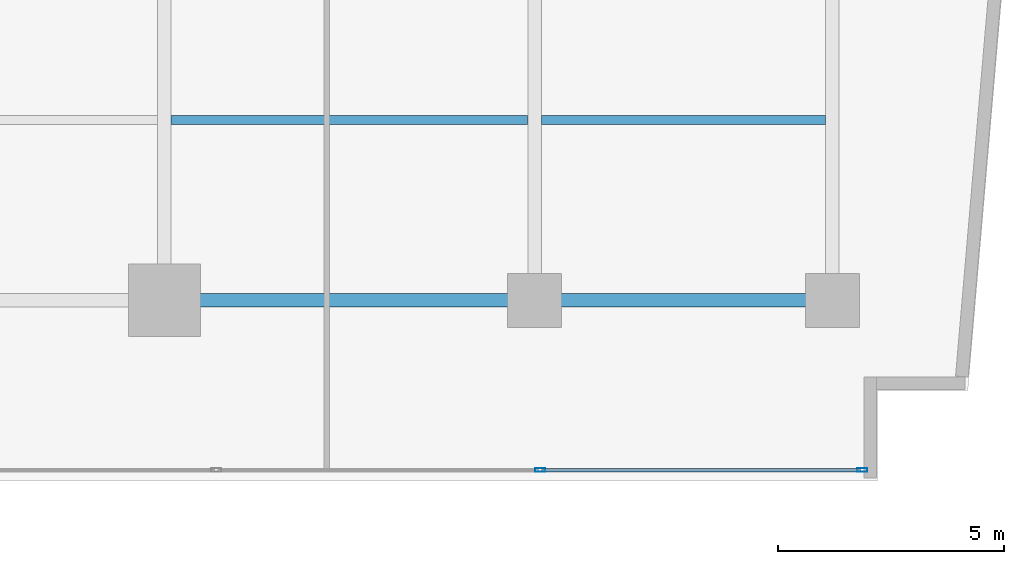
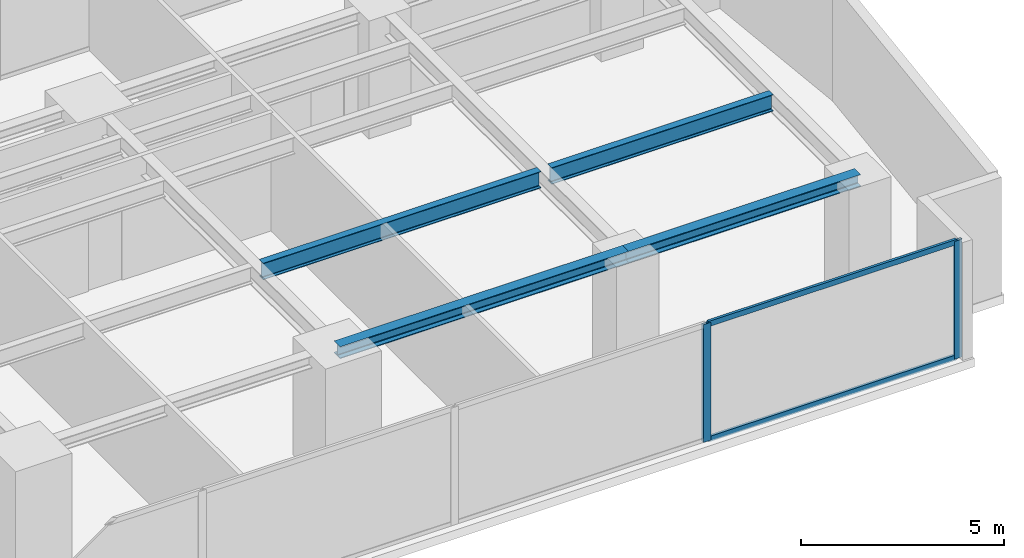
# One storey, part 11 of 26: 4 beams, 4 members, 1 element without a shape of its own.
"""IFC4 building model written with IfcOpenShell, lengths in metres."""

from ifc_helpers import new_model, si_unit, direction, frame, origin, origin_with_axes, origin_2d, place, context, subcontext, project, spatial, hollow_rectangle, i_section, extrude, source, transform, mapped, material, layer, layer_set, material_profile, profile_set, type_object, element, aggregate, save


model = new_model("IFC4")

# Units and contexts
model_context = context("Model", 3, precision=1e-05, world=origin(), true_north=direction((0.0, 1.0)))
body_context = subcontext(model_context, "Body", "Model", "MODEL_VIEW")
ifc_project = project(units=[si_unit("LENGTHUNIT", "METRE"), si_unit("AREAUNIT", "SQUARE_METRE"), si_unit("VOLUMEUNIT", "CUBIC_METRE"), si_unit("PLANEANGLEUNIT", "RADIAN"), si_unit("MASSUNIT", "GRAM", prefix="KILO")], contexts=[model_context])

# Site, building, storey
site_placement = place(None, origin())
site = spatial("IfcSite", under=ifc_project, at=site_placement, CompositionType="ELEMENT")
building_placement = place(site_placement, origin())
building = spatial("IfcBuilding", under=site, at=building_placement, Name="Kolvaren Waterfront Exchange", CompositionType="ELEMENT")
storey_placement = place(building_placement, frame((0.0, 0.0, 44.800048828125)))
storey = spatial("IfcBuildingStorey", under=building, at=storey_placement, Name="L11", CompositionType="ELEMENT", Elevation=44.800048828125)

# Beams
ifc_material_1 = material(Name="Steel S355", Category="steel")
ifc_material_profile_1 = material_profile(ifc_material_1, i_section(OverallWidth=0.300048828125, OverallDepth=0.360107421875, WebThickness=0.012451171875, FlangeThickness=0.0224609375, FilletRadius=0.027099609375, at=origin_2d()), Name="HEB360")
ifc_profile_set_1 = profile_set([ifc_material_profile_1], Name="Steel S355")
beam_type_1 = type_object("IfcBeamType", Name="STR-BM-HEB360", PredefinedType="SPANDREL", material=ifc_profile_set_1)
beam_1_placement = place(storey_placement, frame((45.60009765625, 5.199951171875, 3.35986328125), z_axis=(1.0, 0.0, 0.0), x_axis=(0.0, 1.0, 0.0)))
element("IfcBeam", 1, at=beam_1_placement, inside=storey, type_object=beam_type_1, Name="L11 east-arm spandrel S4", PredefinedType="SPANDREL", context=body_context, shape_type="SweptSolid", body=[
    extrude(i_section(OverallWidth=0.300048828125, OverallDepth=0.360107421875, WebThickness=0.012451171875, FlangeThickness=0.0224609375, FilletRadius=0.027099609375, at=origin_2d()), origin(), (0.0, 0.0, 1.0), 8.199951171875),
])
beam_2_placement = place(storey_placement, frame((53.800048828125, 5.199951171875, 3.35986328125), z_axis=(1.0, 0.0, 0.0), x_axis=(0.0, 1.0, 0.0)))
element("IfcBeam", 2, at=beam_2_placement, inside=storey, type_object=beam_type_1, Name="L11 east-arm spandrel S5", PredefinedType="SPANDREL", context=body_context, shape_type="SweptSolid", body=[
    extrude(i_section(OverallWidth=0.300048828125, OverallDepth=0.360107421875, WebThickness=0.012451171875, FlangeThickness=0.0224609375, FilletRadius=0.027099609375, at=origin_2d()), origin(), (0.0, 0.0, 1.0), 6.599853515625),
])
ifc_material_profile_2 = material_profile(ifc_material_1, i_section(OverallWidth=0.199951171875, OverallDepth=0.5, WebThickness=0.01025390625, FlangeThickness=0.01611328125, FilletRadius=0.02099609375, at=origin_2d()), Name="IPE500")
ifc_profile_set_2 = profile_set([ifc_material_profile_2], Name="Steel S355")
beam_type_2 = type_object("IfcBeamType", Name="STR-BM-IPE500", PredefinedType="JOIST", material=ifc_profile_set_2)
beam_3_placement = place(storey_placement, frame((45.751953125, 9.199951171875, 3.2900390625), z_axis=(1.0, 0.0, 0.0), x_axis=(0.0, 1.0, 0.0)))
element("IfcBeam", 3, at=beam_3_placement, inside=storey, type_object=beam_type_2, Name="L11 east-arm composite joist 4B", PredefinedType="JOIST", context=body_context, shape_type="SweptSolid", body=[
    extrude(i_section(OverallWidth=0.199951171875, OverallDepth=0.5, WebThickness=0.01025390625, FlangeThickness=0.01611328125, FilletRadius=0.02099609375, at=origin_2d()), origin(), (0.0, 0.0, 1.0), 7.89599609375),
])
beam_4_placement = place(storey_placement, frame((53.951904296875, 9.199951171875, 3.2900390625), z_axis=(1.0, 0.0, 0.0), x_axis=(0.0, 1.0, 0.0)))
element("IfcBeam", 4, at=beam_4_placement, inside=storey, type_object=beam_type_2, Name="L11 east-arm composite joist 5B", PredefinedType="JOIST", context=body_context, shape_type="SweptSolid", body=[
    extrude(i_section(OverallWidth=0.199951171875, OverallDepth=0.5, WebThickness=0.01025390625, FlangeThickness=0.01611328125, FilletRadius=0.02099609375, at=origin_2d()), origin(), (0.0, 0.0, 1.0), 6.296142578125),
])

# Curtain wall, members
ifc_material_2 = material(Name="Anodised bronze aluminium 6063-T6", Category="aluminium")
ifc_layer = layer(ifc_material_2, 0.219970703125, Name="Anodised bronze aluminium 6063-T6")
ifc_layer_set = layer_set([ifc_layer], Name="Anodised bronze aluminium 6063-T6")
curtain_wall_type = type_object("IfcCurtainWallType", Name="ARC-CW-SYS1", PredefinedType="USERDEFINED", material=ifc_layer_set)
curtain_wall_placement = place(storey_placement, origin())
curtain_wall = element("IfcCurtainWall", 5, at=curtain_wall_placement, inside=storey, type_object=curtain_wall_type, Name="L11 stick curtain wall CW1 (CW-L11-S)", ObjectType="STICK CURTAIN WALL", PredefinedType="USERDEFINED")
ifc_material_3 = material(Name="Anodised aluminium 6063-T6", Category="aluminium")
ifc_material_profile_3 = material_profile(ifc_material_3, hollow_rectangle(XDim=0.074951171875, YDim=0.159912109375, WallThickness=0.00439453125, at=origin_2d()), Name="ALU-TRN-160x75x4.5")
ifc_profile_set_3 = profile_set([ifc_material_profile_3], Name="Anodised aluminium 6063-T6")
member_type_1 = type_object("IfcMemberType", Name="ARC-CWT-160", PredefinedType="USERDEFINED", material=ifc_profile_set_3)
shared_shape_1 = source(origin_with_axes(), body_context, "Body", "SweptSolid", [
    extrude(hollow_rectangle(XDim=0.074951171875, YDim=0.159912109375, WallThickness=0.00439453125, at=origin_2d()), origin(), (0.0, 0.0, 1.0), 7.054931640625),
])
member_1_placement = place(storey_placement, frame((53.965087890625, 1.43994140625, 0.037353515625), z_axis=(1.0, 0.0, 0.0), x_axis=(0.0, 1.0, 0.0)))
member_1 = element("IfcMember", 6, at=member_1_placement, type_object=member_type_1, Name="CW1 transom 8.1", ObjectType="TRANSOM", PredefinedType="USERDEFINED", context=body_context, shape_type="MappedRepresentation", body=[
    mapped(shared_shape_1, transform((0.0, 0.0, 0.0), x_axis=(1.0, 0.0, 0.0), y_axis=(0.0, 1.0, 0.0), z_axis=(0.0, 0.0, 1.0), scale=1.0)),
])
member_2_placement = place(storey_placement, frame((53.965087890625, 1.43994140625, 3.50244140625), z_axis=(1.0, 0.0, 0.0), x_axis=(0.0, 1.0, 0.0)))
member_2 = element("IfcMember", 7, at=member_2_placement, type_object=member_type_1, Name="CW1 transom 8.2", ObjectType="TRANSOM", PredefinedType="USERDEFINED", context=body_context, shape_type="MappedRepresentation", body=[
    mapped(shared_shape_1, transform((0.0, 0.0, 0.0), x_axis=(1.0, 0.0, 0.0), y_axis=(0.0, 1.0, 0.0), z_axis=(0.0, 0.0, 1.0), scale=1.0)),
])
ifc_material_profile_4 = material_profile(ifc_material_3, hollow_rectangle(XDim=0.080078125, YDim=0.219970703125, WallThickness=0.0048828125, at=origin_2d()), Name="ALU-MUL-220x80x5")
ifc_profile_set_4 = profile_set([ifc_material_profile_4], Name="Anodised aluminium 6063-T6")
member_type_2 = type_object("IfcMemberType", Name="ARC-CWM-220", PredefinedType="MULLION", material=ifc_profile_set_4)
shared_shape_2 = source(origin_with_axes(), body_context, "Body", "SweptSolid", [
    extrude(hollow_rectangle(XDim=0.080078125, YDim=0.219970703125, WallThickness=0.0048828125, at=origin_2d()), origin(), (0.0, 0.0, 1.0), 3.5400390625),
])
member_3_placement = place(storey_placement, frame((53.925048828125, 1.43994140625, 0.0), z_axis=(0.0, 0.0, 1.0), x_axis=(0.0, 1.0, 0.0)))
member_3 = element("IfcMember", 8, at=member_3_placement, type_object=member_type_2, Name="CW1 mullion 8", PredefinedType="MULLION", context=body_context, shape_type="MappedRepresentation", body=[
    mapped(shared_shape_2, transform((0.0, 0.0, 0.0), x_axis=(1.0, 0.0, 0.0), y_axis=(0.0, 1.0, 0.0), z_axis=(0.0, 0.0, 1.0), scale=1.0)),
])
member_4_placement = place(storey_placement, frame((61.06005859375, 1.43994140625, 0.0), z_axis=(0.0, 0.0, 1.0), x_axis=(0.0, 1.0, 0.0)))
member_4 = element("IfcMember", 9, at=member_4_placement, type_object=member_type_2, Name="CW1 mullion 9", PredefinedType="MULLION", context=body_context, shape_type="MappedRepresentation", body=[
    mapped(shared_shape_2, transform((0.0, 0.0, 0.0), x_axis=(1.0, 0.0, 0.0), y_axis=(0.0, 1.0, 0.0), z_axis=(0.0, 0.0, 1.0), scale=1.0)),
])
aggregate(curtain_wall, [member_3, member_4, member_1, member_2])

save(model, "model.ifc")
